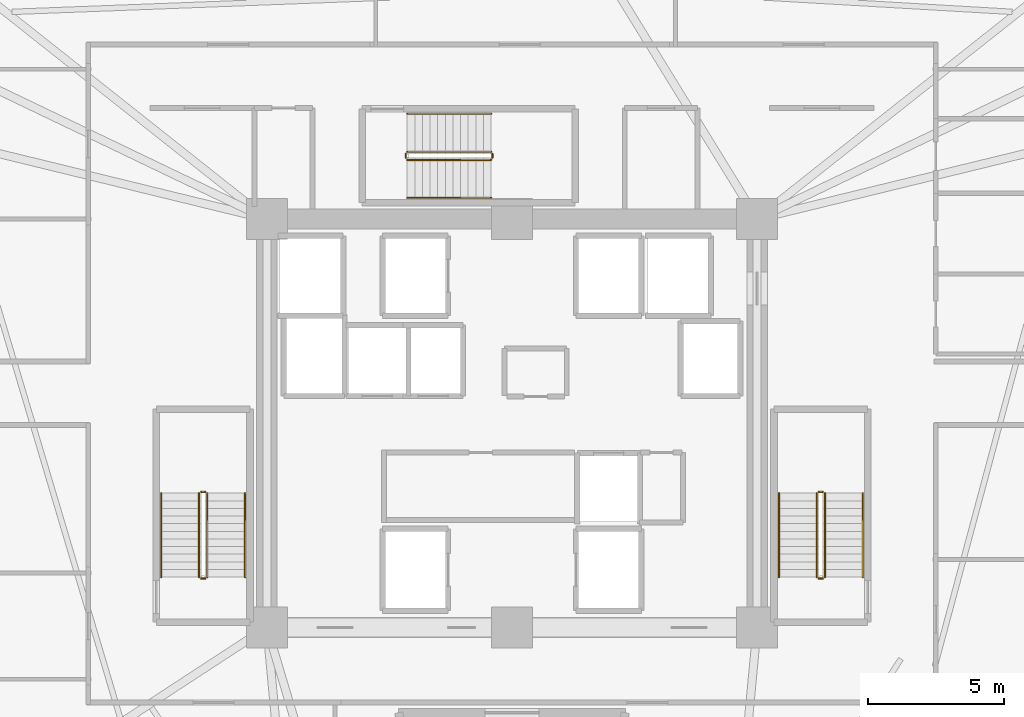
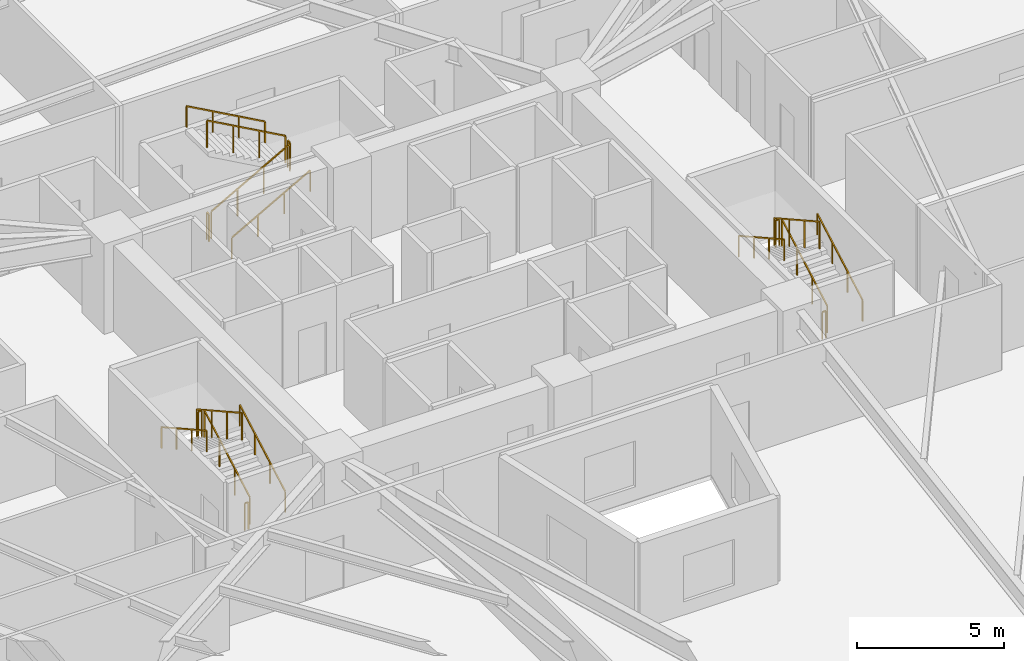
# One storey, part 8 of 8: 18 railings.
"""IFC4 building model written with IfcOpenShell, lengths in metres."""

from ifc_helpers import new_model, si_unit, direction, frame, origin, origin_2d, place, context, subcontext, project, spatial, rectangle, extrude, material, type_object, element, save


model = new_model("IFC4")

# Units and contexts
model_context = context("Model", 3, precision=1e-05, world=origin(), true_north=direction((0.0, 1.0)))
body_context = subcontext(model_context, "Body", "Model", "MODEL_VIEW")
ifc_project = project(units=[si_unit("LENGTHUNIT", "METRE"), si_unit("AREAUNIT", "SQUARE_METRE"), si_unit("VOLUMEUNIT", "CUBIC_METRE"), si_unit("PLANEANGLEUNIT", "RADIAN"), si_unit("MASSUNIT", "GRAM", prefix="KILO")], contexts=[model_context])

# Site, building, storey
site_placement = place(None, origin())
site = spatial("IfcSite", under=ifc_project, at=site_placement, CompositionType="ELEMENT")
building_placement = place(site_placement, origin())
building = spatial("IfcBuilding", under=site, at=building_placement, Name="Liaohun Quay Tower", CompositionType="ELEMENT")
storey_placement = place(building_placement, frame((0.0, 0.0, 105.75)))
storey = spatial("IfcBuildingStorey", under=building, at=storey_placement, Name="L27", CompositionType="ELEMENT", Elevation=105.75)

# Railings
ifc_material_1 = material(Name="Painted tubular steel", Category="steel")
railing_type_1 = type_object("IfcRailingType", Name="RLG-GUARD-STR", PredefinedType="GUARDRAIL", material=ifc_material_1)
railing_1_placement = place(storey_placement, frame((48.81005859375, 48.35009765625, 0.15625)))
element("IfcRailing", 1, at=railing_1_placement, inside=storey, type_object=railing_type_1, Name="L27 ST-1 stair guard 1", PredefinedType="GUARDRAIL", context=body_context, shape_type="SweptSolid", body=[
    extrude(rectangle(XDim=0.048095703125, YDim=0.048095703125, at=origin_2d()), frame((0.0, 0.0, 1.1259765625), z_axis=(0.0, 0.873225103656, 0.487317061414), x_axis=(-1.0, 0.0, 0.0)), (0.0, 0.0, 1.0), 3.52685546875),
    extrude(rectangle(XDim=0.0419921875, YDim=0.0419921875, at=origin_2d()), origin(), (0.0, 0.0, 1.0), 1.101806640625),
    extrude(rectangle(XDim=0.0419921875, YDim=0.0419921875, at=origin_2d()), frame((0.0, 1.026611328125, 0.572998046875)), (0.0, 0.0, 1.0), 1.101806640625),
    extrude(rectangle(XDim=0.0419921875, YDim=0.0419921875, at=origin_2d()), frame((0.0, 2.05322265625, 1.145751953125)), (0.0, 0.0, 1.0), 1.101806640625),
    extrude(rectangle(XDim=0.0419921875, YDim=0.0419921875, at=origin_2d()), frame((0.0, 3.079833984375, 1.71875)), (0.0, 0.0, 1.0), 1.101806640625),
])
railing_2_placement = place(storey_placement, frame((48.72998046875, 51.47998046875, 1.875)))
element("IfcRailing", 2, at=railing_2_placement, inside=storey, type_object=railing_type_1, Name="L27 ST-1 stair guard 2", PredefinedType="GUARDRAIL", context=body_context, shape_type="SweptSolid", body=[
    extrude(rectangle(XDim=0.048095703125, YDim=0.048095703125, at=origin_2d()), frame((0.0, 0.0, 1.1259765625), z_axis=(-1.0, 0.0, 0.0), x_axis=(0.0, -1.0, 0.0)), (0.0, 0.0, 1.0), 0.139892578125),
    extrude(rectangle(XDim=0.0419921875, YDim=0.0419921875, at=origin_2d()), origin(), (0.0, 0.0, 1.0), 1.101806640625),
    extrude(rectangle(XDim=0.0419921875, YDim=0.0419921875, at=origin_2d()), frame((-0.139892578125, 0.0, 0.0)), (0.0, 0.0, 1.0), 1.101806640625),
])
railing_3_placement = place(storey_placement, frame((48.510009765625, 51.429931640625, 2.03125)))
element("IfcRailing", 3, at=railing_3_placement, inside=storey, type_object=railing_type_1, Name="L27 ST-1 stair guard 3", PredefinedType="GUARDRAIL", context=body_context, shape_type="SweptSolid", body=[
    extrude(rectangle(XDim=0.048095703125, YDim=0.048095703125, at=origin_2d()), frame((0.0, 0.0, 1.1259765625), z_axis=(0.0, -0.873225103656, 0.487317061414), x_axis=(1.0, 0.0, 0.0)), (0.0, 0.0, 1.0), 3.52685546875),
    extrude(rectangle(XDim=0.0419921875, YDim=0.0419921875, at=origin_2d()), origin(), (0.0, 0.0, 1.0), 1.101806640625),
    extrude(rectangle(XDim=0.0419921875, YDim=0.0419921875, at=origin_2d()), frame((0.0, -1.026611328125, 0.572998046875)), (0.0, 0.0, 1.0), 1.101806640625),
    extrude(rectangle(XDim=0.0419921875, YDim=0.0419921875, at=origin_2d()), frame((0.0, -2.05322265625, 1.145751953125)), (0.0, 0.0, 1.0), 1.101806640625),
    extrude(rectangle(XDim=0.0419921875, YDim=0.0419921875, at=origin_2d()), frame((0.0, -3.079833984375, 1.71875)), (0.0, 0.0, 1.0), 1.101806640625),
])
railing_4_placement = place(storey_placement, frame((48.72998046875, 48.300048828125, 0.0)))
element("IfcRailing", 4, at=railing_4_placement, inside=storey, type_object=railing_type_1, Name="L27 ST-1 stair guard 4", PredefinedType="GUARDRAIL", context=body_context, shape_type="SweptSolid", body=[
    extrude(rectangle(XDim=0.048095703125, YDim=0.048095703125, at=origin_2d()), frame((0.0, 0.0, 1.1259765625), z_axis=(-1.0, 0.0, 0.0), x_axis=(0.0, -1.0, 0.0)), (0.0, 0.0, 1.0), 0.139892578125),
    extrude(rectangle(XDim=0.0419921875, YDim=0.0419921875, at=origin_2d()), origin(), (0.0, 0.0, 1.0), 1.101806640625),
    extrude(rectangle(XDim=0.0419921875, YDim=0.0419921875, at=origin_2d()), frame((-0.139892578125, 0.0, 0.0)), (0.0, 0.0, 1.0), 1.101806640625),
])
railing_5_placement = place(storey_placement, frame((71.489990234375, 48.35009765625, 0.15625)))
element("IfcRailing", 5, at=railing_5_placement, inside=storey, type_object=railing_type_1, Name="L27 ST-2 stair guard 1", PredefinedType="GUARDRAIL", context=body_context, shape_type="SweptSolid", body=[
    extrude(rectangle(XDim=0.048095703125, YDim=0.048095703125, at=origin_2d()), frame((0.0, 0.0, 1.1259765625), z_axis=(0.0, 0.873225103656, 0.487317061414), x_axis=(-1.0, 0.0, 0.0)), (0.0, 0.0, 1.0), 3.52685546875),
    extrude(rectangle(XDim=0.0419921875, YDim=0.0419921875, at=origin_2d()), origin(), (0.0, 0.0, 1.0), 1.101806640625),
    extrude(rectangle(XDim=0.0419921875, YDim=0.0419921875, at=origin_2d()), frame((0.0, 1.026611328125, 0.572998046875)), (0.0, 0.0, 1.0), 1.101806640625),
    extrude(rectangle(XDim=0.0419921875, YDim=0.0419921875, at=origin_2d()), frame((0.0, 2.05322265625, 1.145751953125)), (0.0, 0.0, 1.0), 1.101806640625),
    extrude(rectangle(XDim=0.0419921875, YDim=0.0419921875, at=origin_2d()), frame((0.0, 3.079833984375, 1.71875)), (0.0, 0.0, 1.0), 1.101806640625),
])
railing_6_placement = place(storey_placement, frame((71.409912109375, 51.47998046875, 1.875)))
element("IfcRailing", 6, at=railing_6_placement, inside=storey, type_object=railing_type_1, Name="L27 ST-2 stair guard 2", PredefinedType="GUARDRAIL", context=body_context, shape_type="SweptSolid", body=[
    extrude(rectangle(XDim=0.048095703125, YDim=0.048095703125, at=origin_2d()), frame((0.0, 0.0, 1.1259765625), z_axis=(-1.0, 0.0, 0.0), x_axis=(0.0, -1.0, 0.0)), (0.0, 0.0, 1.0), 0.139892578125),
    extrude(rectangle(XDim=0.0419921875, YDim=0.0419921875, at=origin_2d()), origin(), (0.0, 0.0, 1.0), 1.101806640625),
    extrude(rectangle(XDim=0.0419921875, YDim=0.0419921875, at=origin_2d()), frame((-0.139892578125, 0.0, 0.0)), (0.0, 0.0, 1.0), 1.101806640625),
])
railing_7_placement = place(storey_placement, frame((71.18994140625, 51.429931640625, 2.03125)))
element("IfcRailing", 7, at=railing_7_placement, inside=storey, type_object=railing_type_1, Name="L27 ST-2 stair guard 3", PredefinedType="GUARDRAIL", context=body_context, shape_type="SweptSolid", body=[
    extrude(rectangle(XDim=0.048095703125, YDim=0.048095703125, at=origin_2d()), frame((0.0, 0.0, 1.1259765625), z_axis=(0.0, -0.873225103656, 0.487317061414), x_axis=(1.0, 0.0, 0.0)), (0.0, 0.0, 1.0), 3.52685546875),
    extrude(rectangle(XDim=0.0419921875, YDim=0.0419921875, at=origin_2d()), origin(), (0.0, 0.0, 1.0), 1.101806640625),
    extrude(rectangle(XDim=0.0419921875, YDim=0.0419921875, at=origin_2d()), frame((0.0, -1.026611328125, 0.572998046875)), (0.0, 0.0, 1.0), 1.101806640625),
    extrude(rectangle(XDim=0.0419921875, YDim=0.0419921875, at=origin_2d()), frame((0.0, -2.05322265625, 1.145751953125)), (0.0, 0.0, 1.0), 1.101806640625),
    extrude(rectangle(XDim=0.0419921875, YDim=0.0419921875, at=origin_2d()), frame((0.0, -3.079833984375, 1.71875)), (0.0, 0.0, 1.0), 1.101806640625),
])
railing_8_placement = place(storey_placement, frame((71.409912109375, 48.300048828125, 0.0)))
element("IfcRailing", 8, at=railing_8_placement, inside=storey, type_object=railing_type_1, Name="L27 ST-2 stair guard 4", PredefinedType="GUARDRAIL", context=body_context, shape_type="SweptSolid", body=[
    extrude(rectangle(XDim=0.048095703125, YDim=0.048095703125, at=origin_2d()), frame((0.0, 0.0, 1.1259765625), z_axis=(-1.0, 0.0, 0.0), x_axis=(0.0, -1.0, 0.0)), (0.0, 0.0, 1.0), 0.139892578125),
    extrude(rectangle(XDim=0.0419921875, YDim=0.0419921875, at=origin_2d()), origin(), (0.0, 0.0, 1.0), 1.101806640625),
    extrude(rectangle(XDim=0.0419921875, YDim=0.0419921875, at=origin_2d()), frame((-0.139892578125, 0.0, 0.0)), (0.0, 0.0, 1.0), 1.101806640625),
])
railing_9_placement = place(storey_placement, frame((56.14990234375, 63.669921875, 0.15625)))
element("IfcRailing", 9, at=railing_9_placement, inside=storey, type_object=railing_type_1, Name="L27 ST-3 stair guard 1", PredefinedType="GUARDRAIL", context=body_context, shape_type="SweptSolid", body=[
    extrude(rectangle(XDim=0.048095703125, YDim=0.048095703125, at=origin_2d()), frame((0.0, 0.0, 1.1259765625), z_axis=(0.873241540666, 0.0, 0.487287606713), x_axis=(0.0, 1.0, 0.0)), (0.0, 0.0, 1.0), 3.527099609375),
    extrude(rectangle(XDim=0.0419921875, YDim=0.0419921875, at=origin_2d()), origin(), (0.0, 0.0, 1.0), 1.101806640625),
    extrude(rectangle(XDim=0.0419921875, YDim=0.0419921875, at=origin_2d()), frame((1.026611328125, 0.0, 0.572998046875)), (0.0, 0.0, 1.0), 1.101806640625),
    extrude(rectangle(XDim=0.0419921875, YDim=0.0419921875, at=origin_2d()), frame((2.053466796875, 0.0, 1.145751953125)), (0.0, 0.0, 1.0), 1.101806640625),
    extrude(rectangle(XDim=0.0419921875, YDim=0.0419921875, at=origin_2d()), frame((3.080078125, 0.0, 1.71875)), (0.0, 0.0, 1.0), 1.101806640625),
])
railing_10_placement = place(storey_placement, frame((59.280029296875, 63.75, 1.875)))
element("IfcRailing", 10, at=railing_10_placement, inside=storey, type_object=railing_type_1, Name="L27 ST-3 stair guard 2", PredefinedType="GUARDRAIL", context=body_context, shape_type="SweptSolid", body=[
    extrude(rectangle(XDim=0.048095703125, YDim=0.048095703125, at=origin_2d()), frame((0.0, 0.0, 1.1259765625), z_axis=(0.0, 1.0, 0.0), x_axis=(-1.0, 0.0, 0.0)), (0.0, 0.0, 1.0), 0.139892578125),
    extrude(rectangle(XDim=0.0419921875, YDim=0.0419921875, at=origin_2d()), origin(), (0.0, 0.0, 1.0), 1.101806640625),
    extrude(rectangle(XDim=0.0419921875, YDim=0.0419921875, at=origin_2d()), frame((0.0, 0.139892578125, 0.0)), (0.0, 0.0, 1.0), 1.101806640625),
])
railing_11_placement = place(storey_placement, frame((59.22998046875, 63.969970703125, 2.03125)))
element("IfcRailing", 11, at=railing_11_placement, inside=storey, type_object=railing_type_1, Name="L27 ST-3 stair guard 3", PredefinedType="GUARDRAIL", context=body_context, shape_type="SweptSolid", body=[
    extrude(rectangle(XDim=0.048095703125, YDim=0.048095703125, at=origin_2d()), frame((0.0, 0.0, 1.1259765625), z_axis=(-0.873241540666, 0.0, 0.487287606713), x_axis=(0.0, -1.0, 0.0)), (0.0, 0.0, 1.0), 3.527099609375),
    extrude(rectangle(XDim=0.0419921875, YDim=0.0419921875, at=origin_2d()), origin(), (0.0, 0.0, 1.0), 1.101806640625),
    extrude(rectangle(XDim=0.0419921875, YDim=0.0419921875, at=origin_2d()), frame((-1.026611328125, 0.0, 0.572998046875)), (0.0, 0.0, 1.0), 1.101806640625),
    extrude(rectangle(XDim=0.0419921875, YDim=0.0419921875, at=origin_2d()), frame((-2.053466796875, 0.0, 1.145751953125)), (0.0, 0.0, 1.0), 1.101806640625),
    extrude(rectangle(XDim=0.0419921875, YDim=0.0419921875, at=origin_2d()), frame((-3.080078125, 0.0, 1.71875)), (0.0, 0.0, 1.0), 1.101806640625),
])
railing_12_placement = place(storey_placement, frame((56.10009765625, 63.75, 0.0)))
element("IfcRailing", 12, at=railing_12_placement, inside=storey, type_object=railing_type_1, Name="L27 ST-3 stair guard 4", PredefinedType="GUARDRAIL", context=body_context, shape_type="SweptSolid", body=[
    extrude(rectangle(XDim=0.048095703125, YDim=0.048095703125, at=origin_2d()), frame((0.0, 0.0, 1.1259765625), z_axis=(0.0, 1.0, 0.0), x_axis=(-1.0, 0.0, 0.0)), (0.0, 0.0, 1.0), 0.139892578125),
    extrude(rectangle(XDim=0.0419921875, YDim=0.0419921875, at=origin_2d()), origin(), (0.0, 0.0, 1.0), 1.101806640625),
    extrude(rectangle(XDim=0.0419921875, YDim=0.0419921875, at=origin_2d()), frame((0.0, 0.139892578125, 0.0)), (0.0, 0.0, 1.0), 1.101806640625),
])
ifc_material_2 = material(Name="Brushed stainless steel", Category="steel")
railing_type_2 = type_object("IfcRailingType", Name="RLG-HND-STR", PredefinedType="HANDRAIL", material=ifc_material_2)
railing_13_placement = place(storey_placement, frame((50.199951171875, 48.35009765625, 0.15625)))
element("IfcRailing", 13, at=railing_13_placement, inside=storey, type_object=railing_type_2, Name="L27 ST-1 stair handrail 1", PredefinedType="HANDRAIL", context=body_context, shape_type="SweptSolid", body=[
    extrude(rectangle(XDim=0.048095703125, YDim=0.048095703125, at=origin_2d()), frame((0.0, 0.0, 0.8759765625), z_axis=(0.0, 0.873225103656, 0.487317061414), x_axis=(-1.0, 0.0, 0.0)), (0.0, 0.0, 1.0), 3.52685546875),
    extrude(rectangle(XDim=0.0419921875, YDim=0.0419921875, at=origin_2d()), origin(), (0.0, 0.0, 1.0), 0.851806640625),
    extrude(rectangle(XDim=0.0419921875, YDim=0.0419921875, at=origin_2d()), frame((0.0, 1.026611328125, 0.572998046875)), (0.0, 0.0, 1.0), 0.851806640625),
    extrude(rectangle(XDim=0.0419921875, YDim=0.0419921875, at=origin_2d()), frame((0.0, 2.05322265625, 1.145751953125)), (0.0, 0.0, 1.0), 0.851806640625),
    extrude(rectangle(XDim=0.0419921875, YDim=0.0419921875, at=origin_2d()), frame((0.0, 3.079833984375, 1.71875)), (0.0, 0.0, 1.0), 0.851806640625),
])
railing_14_placement = place(storey_placement, frame((47.1201171875, 51.429931640625, 2.03125)))
element("IfcRailing", 14, at=railing_14_placement, inside=storey, type_object=railing_type_2, Name="L27 ST-1 stair handrail 2", PredefinedType="HANDRAIL", context=body_context, shape_type="SweptSolid", body=[
    extrude(rectangle(XDim=0.048095703125, YDim=0.048095703125, at=origin_2d()), frame((0.0, 0.0, 0.8759765625), z_axis=(0.0, -0.873225103656, 0.487317061414), x_axis=(1.0, 0.0, 0.0)), (0.0, 0.0, 1.0), 3.52685546875),
    extrude(rectangle(XDim=0.0419921875, YDim=0.0419921875, at=origin_2d()), origin(), (0.0, 0.0, 1.0), 0.851806640625),
    extrude(rectangle(XDim=0.0419921875, YDim=0.0419921875, at=origin_2d()), frame((0.0, -1.026611328125, 0.572998046875)), (0.0, 0.0, 1.0), 0.851806640625),
    extrude(rectangle(XDim=0.0419921875, YDim=0.0419921875, at=origin_2d()), frame((0.0, -2.05322265625, 1.145751953125)), (0.0, 0.0, 1.0), 0.851806640625),
    extrude(rectangle(XDim=0.0419921875, YDim=0.0419921875, at=origin_2d()), frame((0.0, -3.079833984375, 1.71875)), (0.0, 0.0, 1.0), 0.851806640625),
])
railing_15_placement = place(storey_placement, frame((72.8798828125, 48.35009765625, 0.15625)))
element("IfcRailing", 15, at=railing_15_placement, inside=storey, type_object=railing_type_2, Name="L27 ST-2 stair handrail 1", PredefinedType="HANDRAIL", context=body_context, shape_type="SweptSolid", body=[
    extrude(rectangle(XDim=0.048095703125, YDim=0.048095703125, at=origin_2d()), frame((0.0, 0.0, 0.8759765625), z_axis=(0.0, 0.873225103656, 0.487317061414), x_axis=(-1.0, 0.0, 0.0)), (0.0, 0.0, 1.0), 3.52685546875),
    extrude(rectangle(XDim=0.0419921875, YDim=0.0419921875, at=origin_2d()), origin(), (0.0, 0.0, 1.0), 0.851806640625),
    extrude(rectangle(XDim=0.0419921875, YDim=0.0419921875, at=origin_2d()), frame((0.0, 1.026611328125, 0.572998046875)), (0.0, 0.0, 1.0), 0.851806640625),
    extrude(rectangle(XDim=0.0419921875, YDim=0.0419921875, at=origin_2d()), frame((0.0, 2.05322265625, 1.145751953125)), (0.0, 0.0, 1.0), 0.851806640625),
    extrude(rectangle(XDim=0.0419921875, YDim=0.0419921875, at=origin_2d()), frame((0.0, 3.079833984375, 1.71875)), (0.0, 0.0, 1.0), 0.851806640625),
])
railing_16_placement = place(storey_placement, frame((69.800048828125, 51.429931640625, 2.03125)))
element("IfcRailing", 16, at=railing_16_placement, inside=storey, type_object=railing_type_2, Name="L27 ST-2 stair handrail 2", PredefinedType="HANDRAIL", context=body_context, shape_type="SweptSolid", body=[
    extrude(rectangle(XDim=0.048095703125, YDim=0.048095703125, at=origin_2d()), frame((0.0, 0.0, 0.8759765625), z_axis=(0.0, -0.873225103656, 0.487317061414), x_axis=(1.0, 0.0, 0.0)), (0.0, 0.0, 1.0), 3.52685546875),
    extrude(rectangle(XDim=0.0419921875, YDim=0.0419921875, at=origin_2d()), origin(), (0.0, 0.0, 1.0), 0.851806640625),
    extrude(rectangle(XDim=0.0419921875, YDim=0.0419921875, at=origin_2d()), frame((0.0, -1.026611328125, 0.572998046875)), (0.0, 0.0, 1.0), 0.851806640625),
    extrude(rectangle(XDim=0.0419921875, YDim=0.0419921875, at=origin_2d()), frame((0.0, -2.05322265625, 1.145751953125)), (0.0, 0.0, 1.0), 0.851806640625),
    extrude(rectangle(XDim=0.0419921875, YDim=0.0419921875, at=origin_2d()), frame((0.0, -3.079833984375, 1.71875)), (0.0, 0.0, 1.0), 0.851806640625),
])
railing_17_placement = place(storey_placement, frame((56.14990234375, 62.280029296875, 0.15625)))
element("IfcRailing", 17, at=railing_17_placement, inside=storey, type_object=railing_type_2, Name="L27 ST-3 stair handrail 1", PredefinedType="HANDRAIL", context=body_context, shape_type="SweptSolid", body=[
    extrude(rectangle(XDim=0.048095703125, YDim=0.048095703125, at=origin_2d()), frame((0.0, 0.0, 0.8759765625), z_axis=(0.873241540666, 0.0, 0.487287606713), x_axis=(0.0, 1.0, 0.0)), (0.0, 0.0, 1.0), 3.527099609375),
    extrude(rectangle(XDim=0.0419921875, YDim=0.0419921875, at=origin_2d()), origin(), (0.0, 0.0, 1.0), 0.851806640625),
    extrude(rectangle(XDim=0.0419921875, YDim=0.0419921875, at=origin_2d()), frame((1.026611328125, 0.0, 0.572998046875)), (0.0, 0.0, 1.0), 0.851806640625),
    extrude(rectangle(XDim=0.0419921875, YDim=0.0419921875, at=origin_2d()), frame((2.053466796875, 0.0, 1.145751953125)), (0.0, 0.0, 1.0), 0.851806640625),
    extrude(rectangle(XDim=0.0419921875, YDim=0.0419921875, at=origin_2d()), frame((3.080078125, 0.0, 1.71875)), (0.0, 0.0, 1.0), 0.851806640625),
])
railing_18_placement = place(storey_placement, frame((59.22998046875, 65.360107421875, 2.03125)))
element("IfcRailing", 18, at=railing_18_placement, inside=storey, type_object=railing_type_2, Name="L27 ST-3 stair handrail 2", PredefinedType="HANDRAIL", context=body_context, shape_type="SweptSolid", body=[
    extrude(rectangle(XDim=0.048095703125, YDim=0.048095703125, at=origin_2d()), frame((0.0, 0.0, 0.8759765625), z_axis=(-0.873241540666, 0.0, 0.487287606713), x_axis=(0.0, -1.0, 0.0)), (0.0, 0.0, 1.0), 3.527099609375),
    extrude(rectangle(XDim=0.0419921875, YDim=0.0419921875, at=origin_2d()), origin(), (0.0, 0.0, 1.0), 0.851806640625),
    extrude(rectangle(XDim=0.0419921875, YDim=0.0419921875, at=origin_2d()), frame((-1.026611328125, 0.0, 0.572998046875)), (0.0, 0.0, 1.0), 0.851806640625),
    extrude(rectangle(XDim=0.0419921875, YDim=0.0419921875, at=origin_2d()), frame((-2.053466796875, 0.0, 1.145751953125)), (0.0, 0.0, 1.0), 0.851806640625),
    extrude(rectangle(XDim=0.0419921875, YDim=0.0419921875, at=origin_2d()), frame((-3.080078125, 0.0, 1.71875)), (0.0, 0.0, 1.0), 0.851806640625),
])

save(model, "model.ifc")
